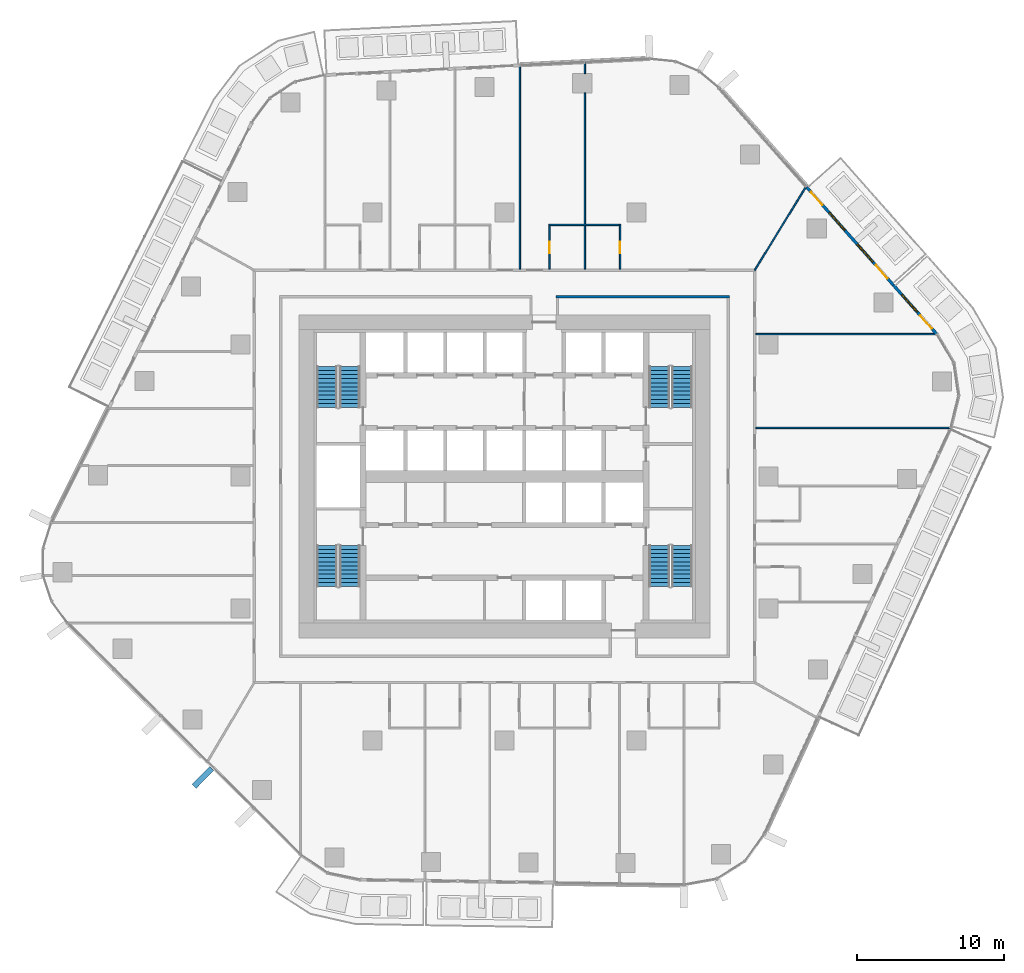
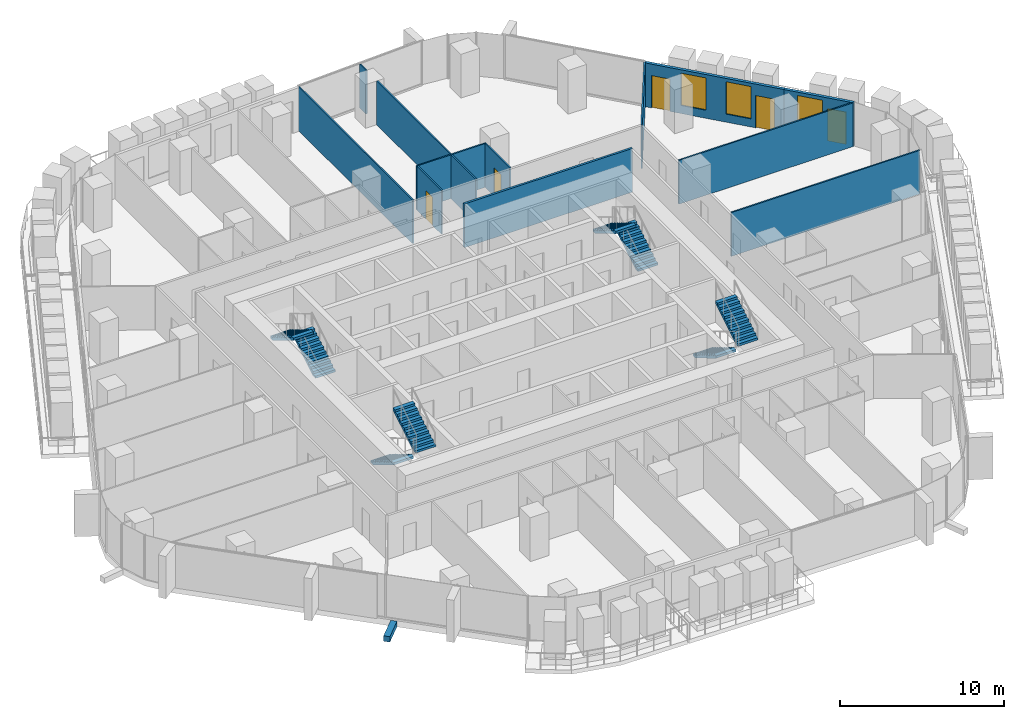
# One storey, part 17 of 24: 13 walls, 8 stair flights, 5 doors, 3 windows, 1 discrete accessory, 8 openings, 4 elements without a shape of their own.
"""IFC4 building model written with IfcOpenShell, lengths in metres."""

from ifc_helpers import new_model, si_unit, direction, frame, frame_2d, origin, origin_2d, place, context, subcontext, project, spatial, polyline, rectangle, outline, extrude, material, layer, layer_set, type_object, element, fill, aggregate, save


model = new_model("IFC4")

# Units and contexts
model_context = context("Model", 3, precision=1e-05, world=origin(), true_north=direction((0.0, 1.0)))
body_context = subcontext(model_context, "Body", "Model", "MODEL_VIEW")
ifc_project = project(units=[si_unit("LENGTHUNIT", "METRE"), si_unit("AREAUNIT", "SQUARE_METRE"), si_unit("VOLUMEUNIT", "CUBIC_METRE"), si_unit("PLANEANGLEUNIT", "RADIAN"), si_unit("MASSUNIT", "GRAM", prefix="KILO")], contexts=[model_context])

# Site, building, storey
site_placement = place(None, origin())
site = spatial("IfcSite", under=ifc_project, at=site_placement, CompositionType="ELEMENT")
building_placement = place(site_placement, origin())
building = spatial("IfcBuilding", under=site, at=building_placement, Name="Dongbaek Canopy Tower", CompositionType="ELEMENT")
storey_placement = place(building_placement, frame((0.0, 0.0, 98.89990234375)))
storey = spatial("IfcBuildingStorey", under=building, at=storey_placement, Name="L20", CompositionType="ELEMENT", Elevation=98.89990234375)

# Walls
ifc_material_1 = material(Name="Gypsum board partition, steel stud, 2 x 15 mm fire board", Category="steel")
ifc_layer_1 = layer(ifc_material_1, 0.14990234375)
ifc_layer_set_1 = layer_set([ifc_layer_1], Name="Fire-rated partition 150 gypsum board")
wall_type_1 = type_object("IfcWallType", Name="Fire-rated partition 150 gypsum board", PredefinedType="PARTITIONING", material=ifc_layer_set_1)
wall_1_placement = place(storey_placement, frame((3.52490234375, 12.25, 0.0), z_axis=(0.0, 0.0, 1.0), x_axis=(1.0, 0.0, 0.0)))
element("IfcWall", 1, at=wall_1_placement, inside=storey, type_object=wall_type_1, Name="Corridor partition", PredefinedType="PARTITIONING", context=body_context, shape_type="SweptSolid", body=[
    extrude(rectangle(XDim=11.800048828125, YDim=0.14990234375, at=frame_2d((5.89990234375, 0.0))), origin(), (0.0, 0.0, 1.0), 3.25),
])
ifc_material_2 = material(Name="Gypsum board partition, steel stud, 2 x 12.5 mm board", Category="steel")
ifc_layer_2 = layer(ifc_material_2, 0.10009765625)
ifc_layer_set_2 = layer_set([ifc_layer_2], Name="Partition 100 gypsum board")
wall_type_2 = type_object("IfcWallType", Name="Partition 100 gypsum board", PredefinedType="PARTITIONING", material=ifc_layer_set_2)
wall_2_placement = place(storey_placement, frame((17.125, 3.31005859375, 0.0), z_axis=(0.0, 0.0, 1.0), x_axis=(1.0, 0.0, 0.0)))
element("IfcWall", 2, at=wall_2_placement, inside=storey, type_object=wall_type_2, Name="Partition", PredefinedType="PARTITIONING", context=body_context, shape_type="SweptSolid", body=[
    extrude(rectangle(XDim=13.259521484375, YDim=0.10009765625, at=frame_2d((6.6298828125, 0.0))), origin(), (0.0, 0.0, 1.0), 3.25),
])
wall_3_placement = place(storey_placement, frame((17.125, 9.697998046875, 0.0), z_axis=(0.0, 0.0, 1.0), x_axis=(1.0, 0.0, 0.0)))
element("IfcWall", 3, at=wall_3_placement, inside=storey, type_object=wall_type_2, Name="Partition", PredefinedType="PARTITIONING", context=body_context, shape_type="SweptSolid", body=[
    extrude(rectangle(XDim=12.307861328125, YDim=0.10009765625, at=frame_2d((6.15380859375, 0.0))), origin(), (0.0, 0.0, 1.0), 3.25),
])
wall_4_placement = place(storey_placement, frame((3.02197265625, 17.14990234375, 0.0), z_axis=(0.0, 0.0, 1.0), x_axis=(1.0, 0.0, 0.0)))
element("IfcWall", 4, at=wall_4_placement, inside=storey, type_object=wall_type_2, Name="Partition", PredefinedType="PARTITIONING", context=body_context, shape_type="SweptSolid", body=[
    extrude(rectangle(XDim=4.89990234375, YDim=0.10009765625, at=frame_2d((2.449951171875, 0.0))), origin(), (0.0, 0.0, 1.0), 3.25),
])
wall_5_placement = place(storey_placement, frame((17.050048828125, 14.0498046875, 0.0), z_axis=(0.0, 0.0, 1.0), x_axis=(0.523105565691, 0.852267896346, 0.0)))
element("IfcWall", 5, at=wall_5_placement, inside=storey, type_object=wall_type_2, Name="Partition", PredefinedType="PARTITIONING", context=body_context, shape_type="SweptSolid", body=[
    extrude(rectangle(XDim=6.6767578125, YDim=0.10009765625, at=frame_2d((3.33837890625, 0.0))), origin(), (0.0, 0.0, 1.0), 3.25),
])

# Wall, opening, door
wall_6_placement = place(storey_placement, frame((7.8720703125, 14.125, 0.0), z_axis=(0.0, 0.0, 1.0), x_axis=(0.0, 1.0, 0.0)))
wall_6 = element("IfcWall", 6, at=wall_6_placement, inside=storey, type_object=wall_type_2, Name="Partition", PredefinedType="PARTITIONING", context=body_context, shape_type="SweptSolid", body=[
    extrude(rectangle(XDim=3.02490234375, YDim=0.10009765625, at=frame_2d((1.512451171875, 0.0))), origin(), (0.0, 0.0, 1.0), 3.25),
])
opening_1_placement = place(wall_6_placement, frame((1.074951171875, 0.0, 0.0)))
opening_1 = element("IfcOpeningElement", 7, at=opening_1_placement, cuts=wall_6, Name="Opening L20-D025", PredefinedType="OPENING", context=body_context, shape_type="SweptSolid", body=[
    extrude(rectangle(XDim=0.800048828125, YDim=2.10009765625, at=frame_2d((0.39990234375, 1.050048828125))), frame((0.0, 0.06005859375, 0.0), z_axis=(0.0, -1.0, 0.0), x_axis=(1.0, 0.0, 0.0)), (0.0, 0.0, 1.0), 0.1201171875),
])
ifc_material_3 = material(Name="Timber veneered door leaf", Category="wood")
door_type_1 = type_object("IfcDoorType", Name="En-suite door 800 x 2100", OperationType="SINGLE_SWING_LEFT", PredefinedType="DOOR", material=ifc_material_3)
door_1_placement = place(opening_1_placement, origin())
door_1 = element("IfcDoor", 8, at=door_1_placement, inside=storey, type_object=door_type_1, Name="Door L20-D025", OperationType="SINGLE_SWING_RIGHT", OverallHeight=2.10009765625, OverallWidth=0.800048828125, PredefinedType="DOOR", context=body_context, shape_type="SweptSolid", body=[
    extrude(rectangle(XDim=0.800048828125, YDim=2.10009765625, at=frame_2d((0.39990234375, 1.050048828125))), frame((0.0, 0.02490234375, 0.0), z_axis=(0.0, -1.0, 0.0), x_axis=(1.0, 0.0, 0.0)), (0.0, 0.0, 1.0), 0.050048828125),
])
fill(opening_1, door_1)

# Walls
wall_7_placement = place(storey_placement, frame((5.471923828125, 14.125, 0.0), z_axis=(0.0, 0.0, 1.0), x_axis=(0.0, 1.0, 0.0)))
element("IfcWall", 9, at=wall_7_placement, inside=storey, type_object=wall_type_2, Name="Partition", PredefinedType="PARTITIONING", context=body_context, shape_type="SweptSolid", body=[
    extrude(rectangle(XDim=2.97509765625, YDim=0.10009765625, at=frame_2d((1.487548828125, 0.0))), origin(), (0.0, 0.0, 1.0), 3.25),
])
wall_8_placement = place(storey_placement, frame((5.471923828125, 17.199951171875, 0.0), z_axis=(0.0, 0.0, 1.0), x_axis=(0.0, 1.0, 0.0)))
element("IfcWall", 10, at=wall_8_placement, inside=storey, type_object=wall_type_2, Name="Partition", PredefinedType="PARTITIONING", context=body_context, shape_type="SweptSolid", body=[
    extrude(rectangle(XDim=8.947998046875, YDim=0.10009765625, at=frame_2d((4.47412109375, 0.0))), origin(), (0.0, 0.0, 1.0), 3.25),
])
wall_9_placement = place(storey_placement, frame((5.471923828125, 27.447998046875, 0.0), z_axis=(0.0, 0.0, 1.0), x_axis=(0.0, 1.0, 0.0)))
element("IfcWall", 11, at=wall_9_placement, inside=storey, type_object=wall_type_2, Name="Partition", PredefinedType="PARTITIONING", context=body_context, shape_type="SweptSolid", body=[
    extrude(rectangle(XDim=0.76416015625, YDim=0.10009765625, at=frame_2d((0.382080078125, 0.0))), origin(), (0.0, 0.0, 1.0), 3.25),
])

# Wall, opening, door
wall_10_placement = place(storey_placement, frame((3.072021484375, 17.10009765625, 0.0), z_axis=(0.0, 0.0, 1.0), x_axis=(0.0, -1.0, 0.0)))
wall_10 = element("IfcWall", 12, at=wall_10_placement, inside=storey, type_object=wall_type_2, Name="Partition", PredefinedType="PARTITIONING", context=body_context, shape_type="SweptSolid", body=[
    extrude(rectangle(XDim=2.97509765625, YDim=0.10009765625, at=frame_2d((1.487548828125, 0.0))), origin(), (0.0, 0.0, 1.0), 3.25),
])
opening_2_placement = place(wall_10_placement, frame((1.10009765625, 0.0, 0.0)))
opening_2 = element("IfcOpeningElement", 13, at=opening_2_placement, cuts=wall_10, Name="Opening L20-D027", PredefinedType="OPENING", context=body_context, shape_type="SweptSolid", body=[
    extrude(rectangle(XDim=0.800048828125, YDim=2.10009765625, at=frame_2d((0.39990234375, 1.050048828125))), frame((0.0, 0.06005859375, 0.0), z_axis=(0.0, -1.0, 0.0), x_axis=(1.0, 0.0, 0.0)), (0.0, 0.0, 1.0), 0.1201171875),
])
door_2_placement = place(opening_2_placement, origin())
door_2 = element("IfcDoor", 14, at=door_2_placement, inside=storey, type_object=door_type_1, Name="Door L20-D027", OperationType="SINGLE_SWING_LEFT", OverallHeight=2.10009765625, OverallWidth=0.800048828125, PredefinedType="DOOR", context=body_context, shape_type="SweptSolid", body=[
    extrude(rectangle(XDim=0.800048828125, YDim=2.10009765625, at=frame_2d((0.39990234375, 1.050048828125))), frame((0.0, 0.02490234375, 0.0), z_axis=(0.0, -1.0, 0.0), x_axis=(1.0, 0.0, 0.0)), (0.0, 0.0, 1.0), 0.050048828125),
])
fill(opening_2, door_2)

# Wall
wall_11_placement = place(storey_placement, frame((1.0419921875, 14.125, 0.0), z_axis=(0.0, 0.0, 1.0), x_axis=(0.0, 1.0, 0.0)))
element("IfcWall", 15, at=wall_11_placement, inside=storey, type_object=wall_type_2, Name="Partition", PredefinedType="PARTITIONING", context=body_context, shape_type="SweptSolid", body=[
    extrude(rectangle(XDim=13.867431640625, YDim=0.10009765625, at=frame_2d((6.93359375, 0.0))), origin(), (0.0, 0.0, 1.0), 3.25),
])

# Wall, openings, doors, windows
ifc_material_4 = material(Name="Aluminium window wall", Category="aluminium")
ifc_layer_3 = layer(ifc_material_4, 0.199951171875)
ifc_layer_set_3 = layer_set([ifc_layer_3], Name="Window wall 200")
wall_type_3 = type_object("IfcWallType", Name="Window wall 200", PredefinedType="SOLIDWALL", material=ifc_layer_set_3)
wall_12_placement = place(storey_placement, frame((26.4951171875, 13.04638671875, 0.0), z_axis=(0.0, 0.0, 1.0), x_axis=(-0.662851206757, 0.748751145376, 0.0)))
wall_12 = element("IfcWall", 16, at=wall_12_placement, inside=storey, type_object=wall_type_3, Name="Window wall L20 1", PredefinedType="SOLIDWALL", context=body_context, shape_type="SweptSolid", body=[
    extrude(rectangle(XDim=8.964111328125, YDim=0.199951171875, at=frame_2d((4.48193359375, 0.0))), origin(), (0.0, 0.0, 1.0), 3.25),
])
opening_3_placement = place(wall_12_placement, frame((2.10009765625, 0.0, 0.60009765625)))
opening_3 = element("IfcOpeningElement", 17, at=opening_3_placement, cuts=wall_12, Name="Opening W1", PredefinedType="OPENING", context=body_context, shape_type="SweptSolid", body=[
    extrude(rectangle(XDim=1.60009765625, YDim=2.39990234375, at=frame_2d((0.800048828125, 1.199951171875))), frame((0.0, 0.10986328125, 0.0), z_axis=(0.0, -1.0, 0.0), x_axis=(1.0, 0.0, 0.0)), (0.0, 0.0, 1.0), 0.219970703125),
])
opening_4_placement = place(wall_12_placement, frame((0.60009765625, 0.0, 0.0)))
opening_4 = element("IfcOpeningElement", 18, at=opening_4_placement, cuts=wall_12, Name="Opening L20-B01", PredefinedType="OPENING", context=body_context, shape_type="SweptSolid", body=[
    extrude(rectangle(XDim=1.199951171875, YDim=2.39990234375, at=frame_2d((0.60009765625, 1.199951171875))), frame((0.0, 0.10986328125, 0.0), z_axis=(0.0, -1.0, 0.0), x_axis=(1.0, 0.0, 0.0)), (0.0, 0.0, 1.0), 0.219970703125),
])
opening_5_placement = place(wall_12_placement, frame((4.98193359375, 0.0, 0.60009765625)))
opening_5 = element("IfcOpeningElement", 19, at=opening_5_placement, cuts=wall_12, Name="Opening W1", PredefinedType="OPENING", context=body_context, shape_type="SweptSolid", body=[
    extrude(rectangle(XDim=1.60009765625, YDim=2.39990234375, at=frame_2d((0.800048828125, 1.199951171875))), frame((0.0, 0.10986328125, 0.0), z_axis=(0.0, -1.0, 0.0), x_axis=(1.0, 0.0, 0.0)), (0.0, 0.0, 1.0), 0.219970703125),
])
opening_6_placement = place(wall_12_placement, frame((7.281982421875, 0.0, 0.0)))
opening_6 = element("IfcOpeningElement", 20, at=opening_6_placement, cuts=wall_12, Name="Opening L20-B02", PredefinedType="OPENING", context=body_context, shape_type="SweptSolid", body=[
    extrude(rectangle(XDim=1.199951171875, YDim=2.39990234375, at=frame_2d((0.60009765625, 1.199951171875))), frame((0.0, 0.10986328125, 0.0), z_axis=(0.0, -1.0, 0.0), x_axis=(1.0, 0.0, 0.0)), (0.0, 0.0, 1.0), 0.219970703125),
])
ifc_material_5 = material(Name="Clear glazing in aluminium frame", Category="aluminium")
door_type_2 = type_object("IfcDoorType", Name="Balcony door BD1 1200 x 2400", OperationType="SLIDING_TO_LEFT", PredefinedType="DOOR", material=ifc_material_5)
door_3_placement = place(opening_4_placement, origin())
door_3 = element("IfcDoor", 21, at=door_3_placement, inside=storey, type_object=door_type_2, Name="Balcony door L20-B01", OperationType="SLIDING_TO_LEFT", OverallHeight=2.39990234375, OverallWidth=1.199951171875, PredefinedType="DOOR", context=body_context, shape_type="SweptSolid", body=[
    extrude(rectangle(XDim=1.199951171875, YDim=2.39990234375, at=frame_2d((0.60009765625, 1.199951171875))), frame((0.0, 0.02490234375, 0.0), z_axis=(0.0, -1.0, 0.0), x_axis=(1.0, 0.0, 0.0)), (0.0, 0.0, 1.0), 0.050048828125),
])
fill(opening_4, door_3)
door_4_placement = place(opening_6_placement, origin())
door_4 = element("IfcDoor", 22, at=door_4_placement, inside=storey, type_object=door_type_2, Name="Balcony door L20-B02", OperationType="SLIDING_TO_LEFT", OverallHeight=2.39990234375, OverallWidth=1.199951171875, PredefinedType="DOOR", context=body_context, shape_type="SweptSolid", body=[
    extrude(rectangle(XDim=1.199951171875, YDim=2.39990234375, at=frame_2d((0.60009765625, 1.199951171875))), frame((0.0, 0.02490234375, 0.0), z_axis=(0.0, -1.0, 0.0), x_axis=(1.0, 0.0, 0.0)), (0.0, 0.0, 1.0), 0.050048828125),
])
fill(opening_6, door_4)
ifc_material_6 = material(Name="Clear glazing in aluminium frame", Category="aluminium")
window_type = type_object("IfcWindowType", Name="Window W1 1600 x 2400", PartitioningType="SINGLE_PANEL", PredefinedType="WINDOW", material=ifc_material_6)
window_1_placement = place(opening_3_placement, origin())
window_1 = element("IfcWindow", 23, at=window_1_placement, inside=storey, type_object=window_type, Name="Window L20 1.1", OverallHeight=2.39990234375, OverallWidth=1.60009765625, PartitioningType="SINGLE_PANEL", PredefinedType="WINDOW", context=body_context, shape_type="SweptSolid", body=[
    extrude(rectangle(XDim=1.60009765625, YDim=2.39990234375, at=frame_2d((0.800048828125, 1.199951171875))), frame((0.0, 0.030029296875, 0.0), z_axis=(0.0, -1.0, 0.0), x_axis=(1.0, 0.0, 0.0)), (0.0, 0.0, 1.0), 0.06005859375),
])
fill(opening_3, window_1)
window_2_placement = place(opening_5_placement, origin())
window_2 = element("IfcWindow", 24, at=window_2_placement, inside=storey, type_object=window_type, Name="Window L20 1.2", OverallHeight=2.39990234375, OverallWidth=1.60009765625, PartitioningType="SINGLE_PANEL", PredefinedType="WINDOW", context=body_context, shape_type="SweptSolid", body=[
    extrude(rectangle(XDim=1.60009765625, YDim=2.39990234375, at=frame_2d((0.800048828125, 1.199951171875))), frame((0.0, 0.030029296875, 0.0), z_axis=(0.0, -1.0, 0.0), x_axis=(1.0, 0.0, 0.0)), (0.0, 0.0, 1.0), 0.06005859375),
])
fill(opening_5, window_2)

# Wall, openings, door, window
wall_13_placement = place(storey_placement, frame((29.459716796875, 9.69775390625, 0.0), z_axis=(0.0, 0.0, 1.0), x_axis=(-0.662868291848, 0.748736020011, 0.0)))
wall_13 = element("IfcWall", 25, at=wall_13_placement, inside=storey, type_object=wall_type_3, Name="Window wall L20 6", PredefinedType="SOLIDWALL", context=body_context, shape_type="SweptSolid", body=[
    extrude(rectangle(XDim=4.472412109375, YDim=0.199951171875, at=frame_2d((2.236328125, 0.0))), origin(), (0.0, 0.0, 1.0), 3.25),
])
opening_7_placement = place(wall_13_placement, frame((2.0, 0.0, 0.60009765625)))
opening_7 = element("IfcOpeningElement", 26, at=opening_7_placement, cuts=wall_13, Name="Opening W1", PredefinedType="OPENING", context=body_context, shape_type="SweptSolid", body=[
    extrude(rectangle(XDim=1.60009765625, YDim=2.39990234375, at=frame_2d((0.800048828125, 1.199951171875))), frame((0.0, 0.10986328125, 0.0), z_axis=(0.0, -1.0, 0.0), x_axis=(1.0, 0.0, 0.0)), (0.0, 0.0, 1.0), 0.219970703125),
])
opening_8_placement = place(wall_13_placement, frame((0.5, 0.0, 0.0)))
opening_8 = element("IfcOpeningElement", 27, at=opening_8_placement, cuts=wall_13, Name="Opening L20-B03", PredefinedType="OPENING", context=body_context, shape_type="SweptSolid", body=[
    extrude(rectangle(XDim=1.199951171875, YDim=2.39990234375, at=frame_2d((0.60009765625, 1.199951171875))), frame((0.0, 0.10986328125, 0.0), z_axis=(0.0, -1.0, 0.0), x_axis=(1.0, 0.0, 0.0)), (0.0, 0.0, 1.0), 0.219970703125),
])
door_5_placement = place(opening_8_placement, origin())
door_5 = element("IfcDoor", 28, at=door_5_placement, inside=storey, type_object=door_type_2, Name="Balcony door L20-B03", OperationType="SLIDING_TO_LEFT", OverallHeight=2.39990234375, OverallWidth=1.199951171875, PredefinedType="DOOR", context=body_context, shape_type="SweptSolid", body=[
    extrude(rectangle(XDim=1.199951171875, YDim=2.39990234375, at=frame_2d((0.60009765625, 1.199951171875))), frame((0.0, 0.02490234375, 0.0), z_axis=(0.0, -1.0, 0.0), x_axis=(1.0, 0.0, 0.0)), (0.0, 0.0, 1.0), 0.050048828125),
])
fill(opening_8, door_5)
window_3_placement = place(opening_7_placement, origin())
window_3 = element("IfcWindow", 29, at=window_3_placement, inside=storey, type_object=window_type, Name="Window L20 6.1", OverallHeight=2.39990234375, OverallWidth=1.60009765625, PartitioningType="SINGLE_PANEL", PredefinedType="WINDOW", context=body_context, shape_type="SweptSolid", body=[
    extrude(rectangle(XDim=1.60009765625, YDim=2.39990234375, at=frame_2d((0.800048828125, 1.199951171875))), frame((0.0, 0.030029296875, 0.0), z_axis=(0.0, -1.0, 0.0), x_axis=(1.0, 0.0, 0.0)), (0.0, 0.0, 1.0), 0.06005859375),
])
fill(opening_7, window_3)

# Stair, stair flights
ifc_material_7 = material(Name="Concrete C40/50", Category="concrete")
stair_type = type_object("IfcStairType", Name="Core exit stair", PredefinedType="HALF_TURN_STAIR", material=ifc_material_7)
stair_1_placement = place(storey_placement, origin())
stair_1 = element("IfcStair", 30, at=stair_1_placement, inside=storey, type_object=stair_type, Name="L20 exit stair A", PredefinedType="HALF_TURN_STAIR")
ifc_material_8 = material(Name="Concrete C40/50", Category="concrete")
ifc_layer_4 = layer(ifc_material_8, 0.14990234375)
ifc_layer_set_4 = layer_set([ifc_layer_4], Name="Core stair flight 150 waist")
stair_flight_type = type_object("IfcStairFlightType", Name="Core stair flight 150 waist", PredefinedType="STRAIGHT", material=ifc_layer_set_4)
stair_flight_1_placement = place(storey_placement, frame((12.10009765625, 4.699951171875, 0.0), z_axis=(0.0, 0.0, 1.0), x_axis=(0.0, 1.0, 0.0)))
stair_flight_1 = element("IfcStairFlight", 31, at=stair_flight_1_placement, type_object=stair_flight_type, Name="ST-A flight 1", NumberOfRisers=11, NumberOfTreads=10, PredefinedType="STRAIGHT", RiserHeight=0.168181818, TreadLength=0.28, context=body_context, shape_type="SweptSolid", body=[
    extrude(outline(polyline([(0.0, 0.0), (0.0, 0.168212890625), (0.280029296875, 0.168212890625), (0.280029296875, 0.33642578125), (0.56005859375, 0.33642578125), (0.56005859375, 0.504638671875), (0.840087890625, 0.504638671875), (0.840087890625, 0.672607421875), (1.1201171875, 0.672607421875), (1.1201171875, 0.8408203125), (1.39990234375, 0.8408203125), (1.39990234375, 1.009033203125), (1.679931640625, 1.009033203125), (1.679931640625, 1.17724609375), (1.9599609375, 1.17724609375), (1.9599609375, 1.345458984375), (2.239990234375, 1.345458984375), (2.239990234375, 1.513671875), (2.52001953125, 1.513671875), (2.52001953125, 1.681884765625), (2.800048828125, 1.681884765625), (2.800048828125, 1.85009765625), (2.800048828125, 1.5068359375), (0.291015625, 0.0), (0.0, 0.0)])), frame((0.0, 0.699951171875, 0.0), z_axis=(0.0, -1.0, 0.0), x_axis=(1.0, 0.0, 0.0)), (0.0, 0.0, 1.0), 1.39990234375),
])
stair_flight_2_placement = place(storey_placement, frame((10.550048828125, 7.5, 1.85009765625), z_axis=(0.0, 0.0, 1.0), x_axis=(0.0, -1.0, 0.0)))
stair_flight_2 = element("IfcStairFlight", 32, at=stair_flight_2_placement, type_object=stair_flight_type, Name="ST-A flight 2", NumberOfRisers=11, NumberOfTreads=10, PredefinedType="STRAIGHT", RiserHeight=0.168181818, TreadLength=0.28, context=body_context, shape_type="SweptSolid", body=[
    extrude(outline(polyline([(0.0, 0.0), (0.0, 0.168212890625), (0.280029296875, 0.168212890625), (0.280029296875, 0.33642578125), (0.56005859375, 0.33642578125), (0.56005859375, 0.504638671875), (0.840087890625, 0.504638671875), (0.840087890625, 0.672607421875), (1.1201171875, 0.672607421875), (1.1201171875, 0.8408203125), (1.39990234375, 0.8408203125), (1.39990234375, 1.009033203125), (1.679931640625, 1.009033203125), (1.679931640625, 1.17724609375), (1.9599609375, 1.17724609375), (1.9599609375, 1.345458984375), (2.239990234375, 1.345458984375), (2.239990234375, 1.513671875), (2.52001953125, 1.513671875), (2.52001953125, 1.681884765625), (2.800048828125, 1.681884765625), (2.800048828125, 1.85009765625), (2.800048828125, 1.5068359375), (0.291015625, 0.0), (0.0, 0.0)])), frame((0.0, 0.699951171875, 0.0), z_axis=(0.0, -1.0, 0.0), x_axis=(1.0, 0.0, 0.0)), (0.0, 0.0, 1.0), 1.39990234375),
])
aggregate(stair_1, [stair_flight_1, stair_flight_2])

stair_2_placement = place(storey_placement, origin())
stair_2 = element("IfcStair", 33, at=stair_2_placement, inside=storey, type_object=stair_type, Name="L20 exit stair C", PredefinedType="HALF_TURN_STAIR")
stair_flight_3_placement = place(storey_placement, frame((-10.550048828125, 4.699951171875, 0.0), z_axis=(0.0, 0.0, 1.0), x_axis=(0.0, 1.0, 0.0)))
stair_flight_3 = element("IfcStairFlight", 34, at=stair_flight_3_placement, type_object=stair_flight_type, Name="ST-C flight 1", NumberOfRisers=11, NumberOfTreads=10, PredefinedType="STRAIGHT", RiserHeight=0.168181818, TreadLength=0.28, context=body_context, shape_type="SweptSolid", body=[
    extrude(outline(polyline([(0.0, 0.0), (0.0, 0.168212890625), (0.280029296875, 0.168212890625), (0.280029296875, 0.33642578125), (0.56005859375, 0.33642578125), (0.56005859375, 0.504638671875), (0.840087890625, 0.504638671875), (0.840087890625, 0.672607421875), (1.1201171875, 0.672607421875), (1.1201171875, 0.8408203125), (1.39990234375, 0.8408203125), (1.39990234375, 1.009033203125), (1.679931640625, 1.009033203125), (1.679931640625, 1.17724609375), (1.9599609375, 1.17724609375), (1.9599609375, 1.345458984375), (2.239990234375, 1.345458984375), (2.239990234375, 1.513671875), (2.52001953125, 1.513671875), (2.52001953125, 1.681884765625), (2.800048828125, 1.681884765625), (2.800048828125, 1.85009765625), (2.800048828125, 1.5068359375), (0.291015625, 0.0), (0.0, 0.0)])), frame((0.0, 0.699951171875, 0.0), z_axis=(0.0, -1.0, 0.0), x_axis=(1.0, 0.0, 0.0)), (0.0, 0.0, 1.0), 1.39990234375),
])
stair_flight_4_placement = place(storey_placement, frame((-12.10009765625, 7.5, 1.85009765625), z_axis=(0.0, 0.0, 1.0), x_axis=(0.0, -1.0, 0.0)))
stair_flight_4 = element("IfcStairFlight", 35, at=stair_flight_4_placement, type_object=stair_flight_type, Name="ST-C flight 2", NumberOfRisers=11, NumberOfTreads=10, PredefinedType="STRAIGHT", RiserHeight=0.168181818, TreadLength=0.28, context=body_context, shape_type="SweptSolid", body=[
    extrude(outline(polyline([(0.0, 0.0), (0.0, 0.168212890625), (0.280029296875, 0.168212890625), (0.280029296875, 0.33642578125), (0.56005859375, 0.33642578125), (0.56005859375, 0.504638671875), (0.840087890625, 0.504638671875), (0.840087890625, 0.672607421875), (1.1201171875, 0.672607421875), (1.1201171875, 0.8408203125), (1.39990234375, 0.8408203125), (1.39990234375, 1.009033203125), (1.679931640625, 1.009033203125), (1.679931640625, 1.17724609375), (1.9599609375, 1.17724609375), (1.9599609375, 1.345458984375), (2.239990234375, 1.345458984375), (2.239990234375, 1.513671875), (2.52001953125, 1.513671875), (2.52001953125, 1.681884765625), (2.800048828125, 1.681884765625), (2.800048828125, 1.85009765625), (2.800048828125, 1.5068359375), (0.291015625, 0.0), (0.0, 0.0)])), frame((0.0, 0.699951171875, 0.0), z_axis=(0.0, -1.0, 0.0), x_axis=(1.0, 0.0, 0.0)), (0.0, 0.0, 1.0), 1.39990234375),
])
aggregate(stair_2, [stair_flight_3, stair_flight_4])

stair_3_placement = place(storey_placement, origin())
stair_3 = element("IfcStair", 36, at=stair_3_placement, inside=storey, type_object=stair_type, Name="L20 exit stair B", PredefinedType="HALF_TURN_STAIR")
stair_flight_5_placement = place(storey_placement, frame((10.550048828125, -4.699951171875, 0.0), z_axis=(0.0, 0.0, 1.0), x_axis=(0.0, -1.0, 0.0)))
stair_flight_5 = element("IfcStairFlight", 37, at=stair_flight_5_placement, type_object=stair_flight_type, Name="ST-B flight 1", NumberOfRisers=11, NumberOfTreads=10, PredefinedType="STRAIGHT", RiserHeight=0.168181818, TreadLength=0.28, context=body_context, shape_type="SweptSolid", body=[
    extrude(outline(polyline([(0.0, 0.0), (0.0, 0.168212890625), (0.280029296875, 0.168212890625), (0.280029296875, 0.33642578125), (0.56005859375, 0.33642578125), (0.56005859375, 0.504638671875), (0.840087890625, 0.504638671875), (0.840087890625, 0.672607421875), (1.1201171875, 0.672607421875), (1.1201171875, 0.8408203125), (1.39990234375, 0.8408203125), (1.39990234375, 1.009033203125), (1.679931640625, 1.009033203125), (1.679931640625, 1.17724609375), (1.9599609375, 1.17724609375), (1.9599609375, 1.345458984375), (2.239990234375, 1.345458984375), (2.239990234375, 1.513671875), (2.52001953125, 1.513671875), (2.52001953125, 1.681884765625), (2.800048828125, 1.681884765625), (2.800048828125, 1.85009765625), (2.800048828125, 1.5068359375), (0.291015625, 0.0), (0.0, 0.0)])), frame((0.0, 0.699951171875, 0.0), z_axis=(0.0, -1.0, 0.0), x_axis=(1.0, 0.0, 0.0)), (0.0, 0.0, 1.0), 1.39990234375),
])
stair_flight_6_placement = place(storey_placement, frame((12.10009765625, -7.5, 1.85009765625), z_axis=(0.0, 0.0, 1.0), x_axis=(0.0, 1.0, 0.0)))
stair_flight_6 = element("IfcStairFlight", 38, at=stair_flight_6_placement, type_object=stair_flight_type, Name="ST-B flight 2", NumberOfRisers=11, NumberOfTreads=10, PredefinedType="STRAIGHT", RiserHeight=0.168181818, TreadLength=0.28, context=body_context, shape_type="SweptSolid", body=[
    extrude(outline(polyline([(0.0, 0.0), (0.0, 0.168212890625), (0.280029296875, 0.168212890625), (0.280029296875, 0.33642578125), (0.56005859375, 0.33642578125), (0.56005859375, 0.504638671875), (0.840087890625, 0.504638671875), (0.840087890625, 0.672607421875), (1.1201171875, 0.672607421875), (1.1201171875, 0.8408203125), (1.39990234375, 0.8408203125), (1.39990234375, 1.009033203125), (1.679931640625, 1.009033203125), (1.679931640625, 1.17724609375), (1.9599609375, 1.17724609375), (1.9599609375, 1.345458984375), (2.239990234375, 1.345458984375), (2.239990234375, 1.513671875), (2.52001953125, 1.513671875), (2.52001953125, 1.681884765625), (2.800048828125, 1.681884765625), (2.800048828125, 1.85009765625), (2.800048828125, 1.5068359375), (0.291015625, 0.0), (0.0, 0.0)])), frame((0.0, 0.699951171875, 0.0), z_axis=(0.0, -1.0, 0.0), x_axis=(1.0, 0.0, 0.0)), (0.0, 0.0, 1.0), 1.39990234375),
])
aggregate(stair_3, [stair_flight_5, stair_flight_6])

stair_4_placement = place(storey_placement, origin())
stair_4 = element("IfcStair", 39, at=stair_4_placement, inside=storey, type_object=stair_type, Name="L20 exit stair D", PredefinedType="HALF_TURN_STAIR")
stair_flight_7_placement = place(storey_placement, frame((-12.10009765625, -4.699951171875, 0.0), z_axis=(0.0, 0.0, 1.0), x_axis=(0.0, -1.0, 0.0)))
stair_flight_7 = element("IfcStairFlight", 40, at=stair_flight_7_placement, type_object=stair_flight_type, Name="ST-D flight 1", NumberOfRisers=11, NumberOfTreads=10, PredefinedType="STRAIGHT", RiserHeight=0.168181818, TreadLength=0.28, context=body_context, shape_type="SweptSolid", body=[
    extrude(outline(polyline([(0.0, 0.0), (0.0, 0.168212890625), (0.280029296875, 0.168212890625), (0.280029296875, 0.33642578125), (0.56005859375, 0.33642578125), (0.56005859375, 0.504638671875), (0.840087890625, 0.504638671875), (0.840087890625, 0.672607421875), (1.1201171875, 0.672607421875), (1.1201171875, 0.8408203125), (1.39990234375, 0.8408203125), (1.39990234375, 1.009033203125), (1.679931640625, 1.009033203125), (1.679931640625, 1.17724609375), (1.9599609375, 1.17724609375), (1.9599609375, 1.345458984375), (2.239990234375, 1.345458984375), (2.239990234375, 1.513671875), (2.52001953125, 1.513671875), (2.52001953125, 1.681884765625), (2.800048828125, 1.681884765625), (2.800048828125, 1.85009765625), (2.800048828125, 1.5068359375), (0.291015625, 0.0), (0.0, 0.0)])), frame((0.0, 0.699951171875, 0.0), z_axis=(0.0, -1.0, 0.0), x_axis=(1.0, 0.0, 0.0)), (0.0, 0.0, 1.0), 1.39990234375),
])
stair_flight_8_placement = place(storey_placement, frame((-10.550048828125, -7.5, 1.85009765625), z_axis=(0.0, 0.0, 1.0), x_axis=(0.0, 1.0, 0.0)))
stair_flight_8 = element("IfcStairFlight", 41, at=stair_flight_8_placement, type_object=stair_flight_type, Name="ST-D flight 2", NumberOfRisers=11, NumberOfTreads=10, PredefinedType="STRAIGHT", RiserHeight=0.168181818, TreadLength=0.28, context=body_context, shape_type="SweptSolid", body=[
    extrude(outline(polyline([(0.0, 0.0), (0.0, 0.168212890625), (0.280029296875, 0.168212890625), (0.280029296875, 0.33642578125), (0.56005859375, 0.33642578125), (0.56005859375, 0.504638671875), (0.840087890625, 0.504638671875), (0.840087890625, 0.672607421875), (1.1201171875, 0.672607421875), (1.1201171875, 0.8408203125), (1.39990234375, 0.8408203125), (1.39990234375, 1.009033203125), (1.679931640625, 1.009033203125), (1.679931640625, 1.17724609375), (1.9599609375, 1.17724609375), (1.9599609375, 1.345458984375), (2.239990234375, 1.345458984375), (2.239990234375, 1.513671875), (2.52001953125, 1.513671875), (2.52001953125, 1.681884765625), (2.800048828125, 1.681884765625), (2.800048828125, 1.85009765625), (2.800048828125, 1.5068359375), (0.291015625, 0.0), (0.0, 0.0)])), frame((0.0, 0.699951171875, 0.0), z_axis=(0.0, -1.0, 0.0), x_axis=(1.0, 0.0, 0.0)), (0.0, 0.0, 1.0), 1.39990234375),
])
aggregate(stair_4, [stair_flight_7, stair_flight_8])

# Discrete accessory
ifc_material_9 = material(Name="Galvanised steel S355 bracket", Category="steel")
discrete_accessory_type = type_object("IfcDiscreteAccessoryType", Name="Crease fin bracket BR3 400", PredefinedType="BRACKET", material=ifc_material_9)
discrete_accessory_placement = place(storey_placement, frame((-20.5517578125, -20.5078125, -0.4248046875), z_axis=(0.0, 0.0, 1.0), x_axis=(-0.70510466009, -0.709103249407, 0.0)))
element("IfcDiscreteAccessory", 42, at=discrete_accessory_placement, inside=storey, type_object=discrete_accessory_type, Name="Crease fin bracket L20 F3", PredefinedType="BRACKET", context=body_context, shape_type="SweptSolid", body=[
    extrude(rectangle(XDim=1.710693359375, YDim=0.39990234375, at=origin_2d()), origin(), (0.0, 0.0, 1.0), 0.39990234375),
])

save(model, "model.ifc")
